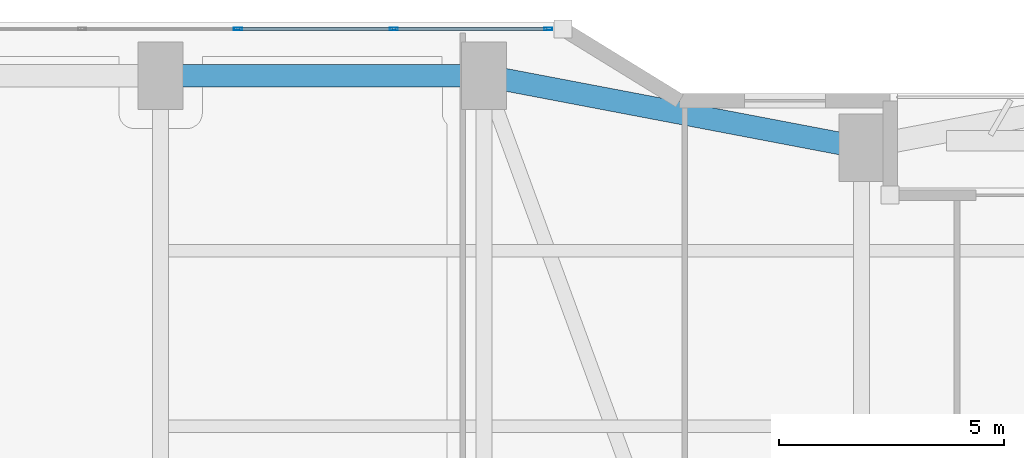
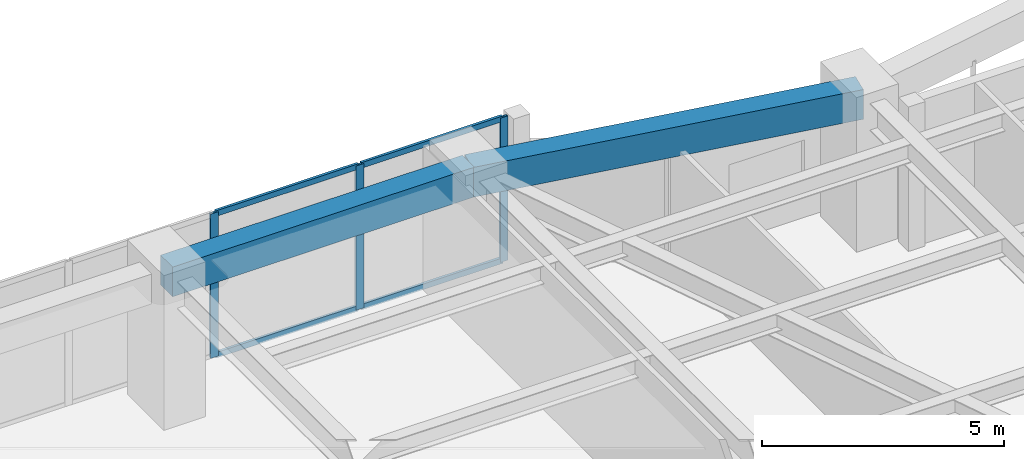
# One storey, part 17 of 28: 7 members, 2 beams, 1 element without a shape of its own.
"""IFC4 building model written with IfcOpenShell, lengths in metres."""

from ifc_helpers import new_model, si_unit, direction, frame, origin, origin_2d, place, context, subcontext, project, spatial, rectangle, hollow_rectangle, extrude, material, layer, layer_set, material_profile, profile_set, type_object, element, aggregate, save


model = new_model("IFC4")

# Units and contexts
model_context = context("Model", 3, precision=1e-05, world=origin(), true_north=direction((0.0, 1.0)))
body_context = subcontext(model_context, "Body", "Model", "MODEL_VIEW")
ifc_project = project(units=[si_unit("LENGTHUNIT", "METRE"), si_unit("AREAUNIT", "SQUARE_METRE"), si_unit("VOLUMEUNIT", "CUBIC_METRE"), si_unit("PLANEANGLEUNIT", "RADIAN"), si_unit("MASSUNIT", "GRAM", prefix="KILO")], contexts=[model_context])

# Site, building, storey
site_placement = place(None, origin())
site = spatial("IfcSite", under=ifc_project, at=site_placement, CompositionType="ELEMENT")
building_placement = place(site_placement, origin())
building = spatial("IfcBuilding", under=site, at=building_placement, Name="Kiyonajd Concourse Tower", CompositionType="ELEMENT")
storey_placement = place(building_placement, frame((0.0, 0.0, 33.300048828125)))
storey = spatial("IfcBuildingStorey", under=building, at=storey_placement, Name="L09", CompositionType="ELEMENT", Elevation=33.300048828125)

# Beams
ifc_material_1 = material(Name="Precast concrete C50/60", Category="concrete")
ifc_material_profile_1 = material_profile(ifc_material_1, rectangle(XDim=0.5, YDim=0.75, at=origin_2d()), Name="RCBM-500x750")
ifc_profile_set_1 = profile_set([ifc_material_profile_1], Name="Precast concrete C50/60")
beam_type = type_object("IfcBeamType", Name="BM-SPAN-RC", PredefinedType="SPANDREL", material=ifc_profile_set_1)
beam_1_placement = place(storey_placement, frame((48.0, 59.60009765625, 3.264892578125), z_axis=(-0.982341315253, 0.187097675953, 0.0), x_axis=(-0.187097675953, -0.982341315253, 0.0)))
element("IfcBeam", 1, at=beam_1_placement, inside=storey, type_object=beam_type, Name="L09 Perimeter Bundled Tube Spandrel", PredefinedType="SPANDREL", context=body_context, shape_type="SweptSolid", body=[
    extrude(rectangle(XDim=0.5, YDim=0.75, at=origin_2d()), origin(), (0.0, 0.0, 1.0), 8.55078125),
])
beam_2_placement = place(storey_placement, frame((39.60009765625, 61.199951171875, 3.264892578125), z_axis=(-1.0, 0.0, 0.0), x_axis=(0.0, -1.0, 0.0)))
element("IfcBeam", 2, at=beam_2_placement, inside=storey, type_object=beam_type, Name="L09 Perimeter Bundled Tube Spandrel", PredefinedType="SPANDREL", context=body_context, shape_type="SweptSolid", body=[
    extrude(rectangle(XDim=0.5, YDim=0.75, at=origin_2d()), origin(), (0.0, 0.0, 1.0), 7.2001953125),
])

# Curtain wall, members
ifc_material_2 = material(Name="Thermally Broken Anodised Aluminium", Category="aluminium")
ifc_layer = layer(ifc_material_2, 0.179931640625)
ifc_layer_set = layer_set([ifc_layer], Name="Thermally Broken Anodised Aluminium")
curtain_wall_type = type_object("IfcCurtainWallType", Name="CW-SYS-02", PredefinedType="NOTDEFINED", material=ifc_layer_set)
curtain_wall_placement = place(storey_placement, origin())
curtain_wall = element("IfcCurtainWall", 3, at=curtain_wall_placement, inside=storey, type_object=curtain_wall_type, Name="L09 Unitised Curtain Wall CW2", PredefinedType="NOTDEFINED")
ifc_material_profile_2 = material_profile(ifc_material_2, hollow_rectangle(XDim=0.06494140625, YDim=0.179931640625, WallThickness=0.00390625, at=origin_2d()), Name="MULL-65x180")
ifc_profile_set_2 = profile_set([ifc_material_profile_2], Name="Thermally Broken Anodised Aluminium")
member_type_1 = type_object("IfcMemberType", Name="MB-CW-MULL1", PredefinedType="MULLION", material=ifc_profile_set_2)
member_1_placement = place(storey_placement, frame((34.123291015625, 62.239990234375, 0.0), z_axis=(0.0, 0.0, 1.0), x_axis=(0.0, 1.0, 0.0)))
member_1 = element("IfcMember", 4, at=member_1_placement, type_object=member_type_1, Name="CW2 mullion 4", PredefinedType="MULLION", context=body_context, shape_type="SweptSolid", body=[
    extrude(hollow_rectangle(XDim=0.06494140625, YDim=0.179931640625, WallThickness=0.00390625, at=origin_2d()), origin(), (0.0, 0.0, 1.0), 3.639892578125),
])
member_2_placement = place(storey_placement, frame((37.593994140625, 62.239990234375, 0.0), z_axis=(0.0, 0.0, 1.0), x_axis=(0.0, 1.0, 0.0)))
member_2 = element("IfcMember", 5, at=member_2_placement, type_object=member_type_1, Name="CW2 mullion 5", PredefinedType="MULLION", context=body_context, shape_type="SweptSolid", body=[
    extrude(hollow_rectangle(XDim=0.06494140625, YDim=0.179931640625, WallThickness=0.00390625, at=origin_2d()), origin(), (0.0, 0.0, 1.0), 3.639892578125),
])
member_3_placement = place(storey_placement, frame((41.0322265625, 62.239990234375, 0.0), z_axis=(0.0, 0.0, 1.0), x_axis=(0.0, 1.0, 0.0)))
member_3 = element("IfcMember", 6, at=member_3_placement, type_object=member_type_1, Name="CW2 mullion 6", PredefinedType="MULLION", context=body_context, shape_type="SweptSolid", body=[
    extrude(hollow_rectangle(XDim=0.06494140625, YDim=0.179931640625, WallThickness=0.00390625, at=origin_2d()), origin(), (0.0, 0.0, 1.0), 3.639892578125),
])
ifc_material_profile_3 = material_profile(ifc_material_2, hollow_rectangle(XDim=0.06494140625, YDim=0.139892578125, WallThickness=0.00390625, at=origin_2d()), Name="TRAN-65x140")
ifc_profile_set_3 = profile_set([ifc_material_profile_3], Name="Thermally Broken Anodised Aluminium")
member_type_2 = type_object("IfcMemberType", Name="MB-CW-TRAN1", PredefinedType="USERDEFINED", material=ifc_profile_set_3)
member_4_placement = place(storey_placement, frame((34.15576171875, 62.239990234375, 0.032470703125), z_axis=(1.0, 0.0, 0.0), x_axis=(0.0, 1.0, 0.0)))
member_4 = element("IfcMember", 7, at=member_4_placement, type_object=member_type_2, Name="CW2 transom 4.1", ObjectType="TRANSOM", PredefinedType="USERDEFINED", context=body_context, shape_type="SweptSolid", body=[
    extrude(hollow_rectangle(XDim=0.06494140625, YDim=0.139892578125, WallThickness=0.00390625, at=origin_2d()), origin(), (0.0, 0.0, 1.0), 3.40576171875),
])
member_5_placement = place(storey_placement, frame((34.15576171875, 62.239990234375, 3.607421875), z_axis=(1.0, 0.0, 0.0), x_axis=(0.0, 1.0, 0.0)))
member_5 = element("IfcMember", 8, at=member_5_placement, type_object=member_type_2, Name="CW2 transom 4.2", ObjectType="TRANSOM", PredefinedType="USERDEFINED", context=body_context, shape_type="SweptSolid", body=[
    extrude(hollow_rectangle(XDim=0.06494140625, YDim=0.139892578125, WallThickness=0.00390625, at=origin_2d()), origin(), (0.0, 0.0, 1.0), 3.40576171875),
])
member_6_placement = place(storey_placement, frame((37.62646484375, 62.239990234375, 0.032470703125), z_axis=(1.0, 0.0, 0.0), x_axis=(0.0, 1.0, 0.0)))
member_6 = element("IfcMember", 9, at=member_6_placement, type_object=member_type_2, Name="CW2 transom 5.1", ObjectType="TRANSOM", PredefinedType="USERDEFINED", context=body_context, shape_type="SweptSolid", body=[
    extrude(hollow_rectangle(XDim=0.06494140625, YDim=0.139892578125, WallThickness=0.00390625, at=origin_2d()), origin(), (0.0, 0.0, 1.0), 3.373291015625),
])
member_7_placement = place(storey_placement, frame((37.62646484375, 62.239990234375, 3.607421875), z_axis=(1.0, 0.0, 0.0), x_axis=(0.0, 1.0, 0.0)))
member_7 = element("IfcMember", 10, at=member_7_placement, type_object=member_type_2, Name="CW2 transom 5.2", ObjectType="TRANSOM", PredefinedType="USERDEFINED", context=body_context, shape_type="SweptSolid", body=[
    extrude(hollow_rectangle(XDim=0.06494140625, YDim=0.139892578125, WallThickness=0.00390625, at=origin_2d()), origin(), (0.0, 0.0, 1.0), 3.373291015625),
])
aggregate(curtain_wall, [member_1, member_2, member_3, member_4, member_5, member_6, member_7])

save(model, "model.ifc")
